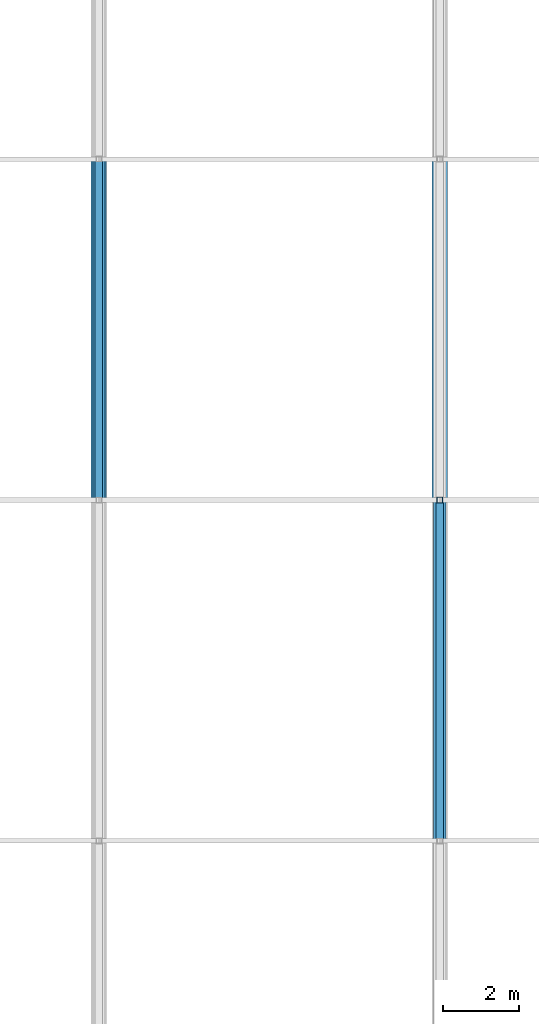
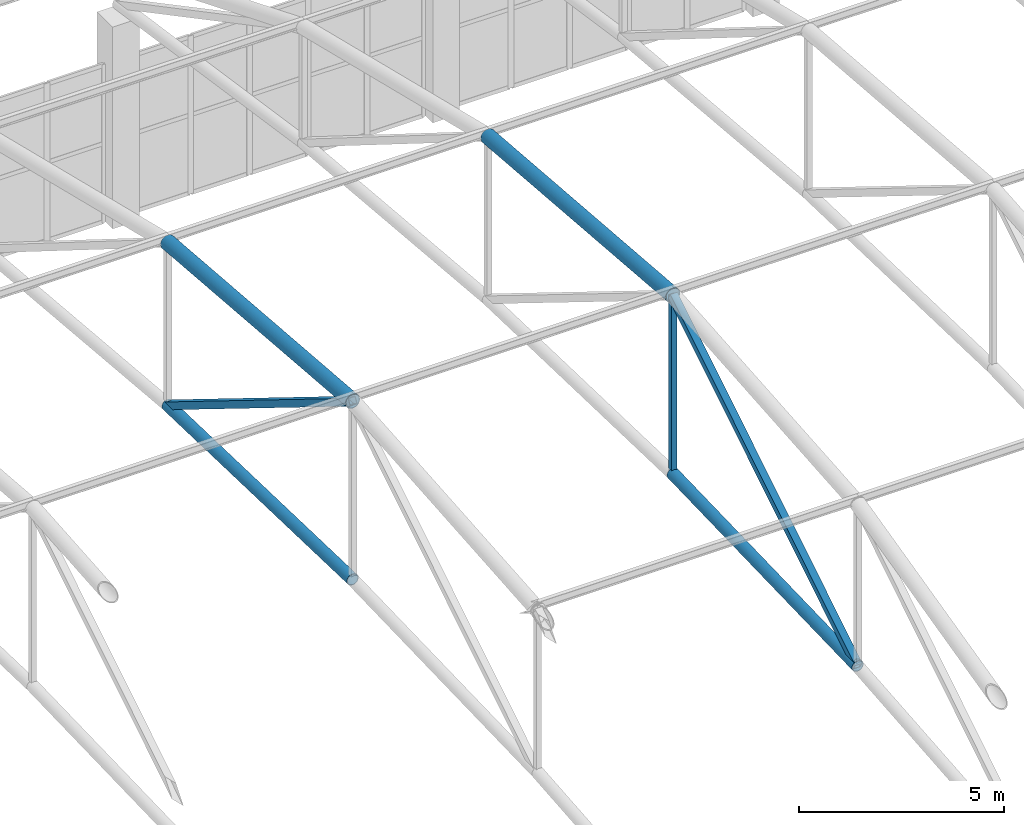
# One storey, part 134 of 223: 7 members.
"""IFC4 building model written with IfcOpenShell, lengths in metres."""

from ifc_helpers import new_model, si_unit, direction, frame, origin, origin_2d, place, context, subcontext, project, spatial, hollow_rectangle, hollow_circle, extrude, material, material_profile, profile_set, type_object, element, save


model = new_model("IFC4")

# Units and contexts
model_context = context("Model", 3, precision=1e-05, world=origin(), true_north=direction((0.0, 1.0)))
body_context = subcontext(model_context, "Body", "Model", "MODEL_VIEW")
ifc_project = project(units=[si_unit("LENGTHUNIT", "METRE"), si_unit("AREAUNIT", "SQUARE_METRE"), si_unit("VOLUMEUNIT", "CUBIC_METRE"), si_unit("PLANEANGLEUNIT", "RADIAN"), si_unit("MASSUNIT", "GRAM", prefix="KILO")], contexts=[model_context])

# Site, building, storey
site_placement = place(None, origin())
site = spatial("IfcSite", under=ifc_project, at=site_placement, CompositionType="ELEMENT")
building_placement = place(site_placement, origin())
building = spatial("IfcBuilding", under=site, at=building_placement, Name="Dornveld Trade and Exhibition Forum", CompositionType="ELEMENT")
storey_placement = place(building_placement, frame((0.0, 0.0, 6.0)))
storey = spatial("IfcBuildingStorey", under=building, at=storey_placement, Name="L01", CompositionType="ELEMENT", Elevation=6.0)

# Members
ifc_material_1 = material(Name="Steel S355J2", Category="steel")
ifc_material_profile_1 = material_profile(ifc_material_1, hollow_circle(Radius=0.161865234375, WallThickness=0.01611328125, at=origin_2d()), Name="CHS 323.9x16")
ifc_profile_set_1 = profile_set([ifc_material_profile_1], Name="Steel S355J2")
member_type_1 = type_object("IfcMemberType", Name="MEM-ARCH-BC", PredefinedType="CHORD", material=ifc_profile_set_1)
for number, where, z_axis, x_axis, name in (
    (1, (135.0, 135.0, 8.75), (0.0, 0.999561545365, -0.029609407757), (-1.0, 0.0, 0.0), "H1 truss 5 tie chord 4"),
    (2, (144.0, 126.0, 8.4833984375), (0.0, 0.999561545365, 0.029609407757), (-1.0, 0.0, 0.0), "H1 truss 6 tie chord 3"),
):
    element("IfcMember", number, at=place(storey_placement, frame(where, z_axis=z_axis, x_axis=x_axis)), inside=storey, type_object=member_type_1, Name=name, PredefinedType="CHORD", context=body_context, shape_type="SweptSolid", body=[
        extrude(hollow_circle(Radius=0.161865234375, WallThickness=0.01611328125, at=origin_2d()), origin(), (0.0, 0.0, 1.0), 9.00390625),
    ])
ifc_material_2 = material(Name="Steel S355J2", Category="steel")
ifc_material_profile_2 = material_profile(ifc_material_2, hollow_rectangle(XDim=0.14990234375, YDim=0.14990234375, WallThickness=0.008056640625, at=origin_2d()), Name="SHS 150x150x8")
ifc_profile_set_2 = profile_set([ifc_material_profile_2], Name="Steel S355J2")
member_type_2 = type_object("IfcMemberType", Name="MEM-ARCH-STR", PredefinedType="STRUT", material=ifc_profile_set_2)
member_placement = place(storey_placement, frame((144.0, 135.0, 8.75), z_axis=(0.0, 0.0, 1.0), x_axis=(1.0, 0.0, 0.0)))
element("IfcMember", 3, at=member_placement, inside=storey, type_object=member_type_2, Name="H1 truss 6 strut 4", PredefinedType="STRUT", context=body_context, shape_type="SweptSolid", body=[
    extrude(hollow_rectangle(XDim=0.14990234375, YDim=0.14990234375, WallThickness=0.008056640625, at=origin_2d()), origin(), (0.0, 0.0, 1.0), 5.300048828125),
])
ifc_material_3 = material(Name="Steel S355J2", Category="steel")
ifc_material_profile_3 = material_profile(ifc_material_3, hollow_circle(Radius=0.203125, WallThickness=0.02001953125, at=origin_2d()), Name="CHS 406.4x20")
ifc_profile_set_3 = profile_set([ifc_material_profile_3], Name="Steel S355J2")
member_type_3 = type_object("IfcMemberType", Name="MEM-ARCH-TC", PredefinedType="CHORD", material=ifc_profile_set_3)
for number, where, z_axis, x_axis, name in (
    (4, (135.0, 135.0, 14.050048828125), (0.0, 0.996696239312, -0.081219496064), (-1.0, 0.0, 0.0), "H1 truss 5 top chord 4"),
    (5, (144.0, 135.0, 14.050048828125), (0.0, 0.996696239312, -0.081219496064), (-1.0, 0.0, 0.0), "H1 truss 6 top chord 4"),
):
    element("IfcMember", number, at=place(storey_placement, frame(where, z_axis=z_axis, x_axis=x_axis)), inside=storey, type_object=member_type_3, Name=name, PredefinedType="CHORD", context=body_context, shape_type="SweptSolid", body=[
        extrude(hollow_circle(Radius=0.203125, WallThickness=0.02001953125, at=origin_2d()), origin(), (0.0, 0.0, 1.0), 9.02978515625),
    ])
ifc_material_4 = material(Name="Steel S355J2", Category="steel")
ifc_material_profile_4 = material_profile(ifc_material_4, hollow_rectangle(XDim=0.199951171875, YDim=0.199951171875, WallThickness=0.010009765625, at=origin_2d()), Name="SHS 200x200x10")
ifc_profile_set_4 = profile_set([ifc_material_profile_4], Name="Steel S355J2")
member_type_4 = type_object("IfcMemberType", Name="MEM-ARCH-WEB", PredefinedType="BRACE", material=ifc_profile_set_4)
for number, where, z_axis, x_axis, name in (
    (6, (135.0, 144.0, 8.4833984375), (0.0, -0.850467158024, 0.526028148603), (1.0, 0.0, 0.0), "H1 truss 5 web 4"),
    (7, (144.0, 126.0, 8.4833984375), (0.0, 0.850467158024, 0.526028148603), (-1.0, 0.0, 0.0), "H1 truss 6 web 3"),
):
    element("IfcMember", number, at=place(storey_placement, frame(where, z_axis=z_axis, x_axis=x_axis)), inside=storey, type_object=member_type_4, Name=name, PredefinedType="BRACE", context=body_context, shape_type="SweptSolid", body=[
        extrude(hollow_rectangle(XDim=0.199951171875, YDim=0.199951171875, WallThickness=0.010009765625, at=origin_2d()), origin(), (0.0, 0.0, 1.0), 10.58251953125),
    ])

save(model, "model.ifc")
